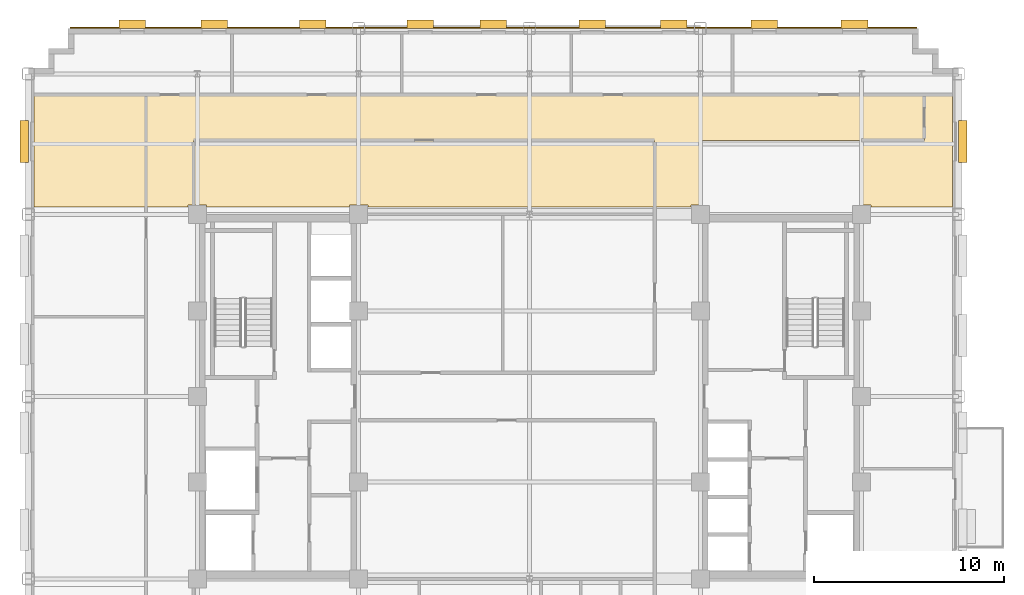
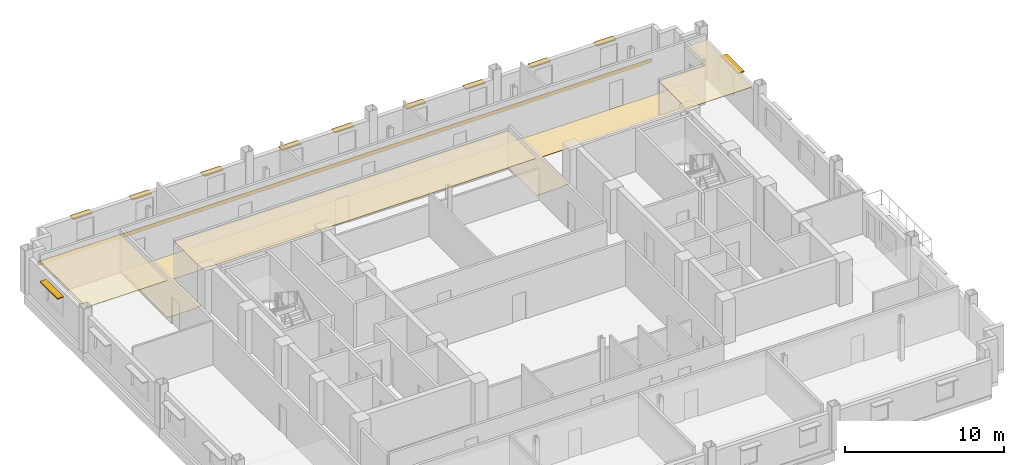
# One storey, part 14 of 14: 11 shading devices, 5 coverings.
"""IFC4 building model written with IfcOpenShell, lengths in metres."""

from ifc_helpers import new_model, si_unit, direction, frame, origin, origin_2d, place, context, subcontext, project, spatial, polyline, rectangle, outline, extrude, source, transform, mapped, material, layer, layer_set, type_object, type_shapes, element, save


model = new_model("IFC4")

# Units and contexts
model_context = context("Model", 3, precision=1e-05, world=origin(), true_north=direction((0.0, 1.0)))
body_context = subcontext(model_context, "Body", "Model", "MODEL_VIEW")
ifc_project = project(units=[si_unit("LENGTHUNIT", "METRE"), si_unit("AREAUNIT", "SQUARE_METRE"), si_unit("VOLUMEUNIT", "CUBIC_METRE"), si_unit("PLANEANGLEUNIT", "RADIAN"), si_unit("MASSUNIT", "GRAM", prefix="KILO")], contexts=[model_context])

# Site, building, storey
site_placement = place(None, origin())
site = spatial("IfcSite", under=ifc_project, at=site_placement, CompositionType="ELEMENT")
building_placement = place(site_placement, origin())
building = spatial("IfcBuilding", under=site, at=building_placement, Name="Nuvemarco Arch Tower", CompositionType="ELEMENT")
storey_placement = place(building_placement, frame((0.0, 0.0, 178.60009765625)))
storey = spatial("IfcBuildingStorey", under=building, at=storey_placement, Name="L47", CompositionType="ELEMENT", Elevation=178.60009765625)

# Coverings
ifc_material_1 = material(Name="Mineral acoustic ceiling tile")
ifc_layer_1 = layer(ifc_material_1, 0.0400390625, Name="COV-ACOUSTIC-CLG")
ifc_layer_set_1 = layer_set([ifc_layer_1], Name="Mineral acoustic ceiling tile")
covering_type_1 = type_object("IfcCoveringType", Name="COV-ACOUSTIC-CLG", PredefinedType="CEILING", material=ifc_layer_set_1)
covering_1_placement = place(storey_placement, frame((0.0, 0.0, 2.849853515625)))
element("IfcCovering", 1, at=covering_1_placement, inside=storey, type_object=covering_type_1, Name="L47 suspended acoustic ceiling 2", PredefinedType="CEILING", context=body_context, shape_type="SweptSolid", body=[
    extrude(outline(polyline([(6.60009765625, 13.5), (6.60009765625, 10.0), (-8.510009765625, 10.0), (-8.510009765625, 10.090087890625), (-9.489990234375, 10.090087890625), (-9.489990234375, 10.0), (-17.010009765625, 10.0), (-17.010009765625, 10.090087890625), (-17.699951171875, 10.090087890625), (-17.699951171875, 13.5), (6.60009765625, 13.5)])), origin(), (0.0, 0.0, 1.0), 0.0400390625),
])
covering_2_placement = place(storey_placement, frame((0.0, 0.0, 2.849853515625)))
element("IfcCovering", 2, at=covering_2_placement, inside=storey, type_object=covering_type_1, Name="L47 suspended acoustic ceiling 4", PredefinedType="CEILING", context=body_context, shape_type="SweptSolid", body=[
    extrude(outline(polyline([(17.989990234375, 10.090087890625), (17.5, 10.090087890625), (17.5, 13.5), (20.800048828125, 13.5), (20.800048828125, 15.89990234375), (22.2900390625, 15.89990234375), (22.2900390625, 10.0), (17.989990234375, 10.0), (17.989990234375, 10.090087890625)])), origin(), (0.0, 0.0, 1.0), 0.0400390625),
])
covering_3_placement = place(storey_placement, frame((0.0, 0.0, 2.849853515625)))
element("IfcCovering", 3, at=covering_3_placement, inside=storey, type_object=covering_type_1, Name="L47 suspended acoustic ceiling 5", PredefinedType="CEILING", context=body_context, shape_type="SweptSolid", body=[
    extrude(outline(polyline([(-20.199951171875, 15.89990234375), (-20.199951171875, 13.5), (-20.199951171875, 10.0), (-26.090087890625, 10.0), (-26.090087890625, 15.89990234375), (-20.199951171875, 15.89990234375)])), origin(), (0.0, 0.0, 1.0), 0.0400390625),
])
ifc_material_2 = material(Name="Polished granite terrazzostone flooring", Category="masonry")
ifc_layer_2 = layer(ifc_material_2, 0.02001953125, Name="COV-LOBBY-FLR")
ifc_layer_set_2 = layer_set([ifc_layer_2], Name="Polished granite terrazzostone flooring")
covering_type_2 = type_object("IfcCoveringType", Name="COV-LOBBY-FLR", PredefinedType="FLOORING", material=ifc_layer_set_2)
covering_4_placement = place(storey_placement, origin())
element("IfcCovering", 4, at=covering_4_placement, inside=storey, type_object=covering_type_2, Name="L47 polished terrazzo lobby flooring", PredefinedType="FLOORING", context=body_context, shape_type="SweptSolid", body=[
    extrude(outline(polyline([(-20.199951171875, 13.5), (-20.199951171875, 15.89990234375), (-17.699951171875, 15.89990234375), (6.60009765625, 15.89990234375), (9.0, 15.89990234375), (20.800048828125, 15.89990234375), (20.800048828125, 13.5), (9.0, 13.5), (9.0, 10.090087890625), (8.510009765625, 10.090087890625), (8.510009765625, 10.0), (6.60009765625, 10.0), (6.60009765625, 13.5), (-17.699951171875, 13.5), (-17.699951171875, 10.090087890625), (-17.989990234375, 10.090087890625), (-17.989990234375, 10.0), (-20.199951171875, 10.0), (-20.199951171875, 13.5)])), origin(), (0.0, 0.0, 1.0), 0.02001953125),
])

# Shading devices
ifc_material_3 = material(Name="Anodised aluminium 6063-T6", Category="aluminium")
shading_device_type_1 = type_object("IfcShadingDeviceType", Name="SHD-BRISE-SOLEIL", PredefinedType="USERDEFINED", material=ifc_material_3)
shared_shape_1 = source(origin(), body_context, "Body", "SweptSolid", [
    extrude(rectangle(XDim=2.199951171875, YDim=0.449951171875, at=origin_2d()), origin(), (0.0, 0.0, 1.0), 0.080078125),
])
type_shapes(shading_device_type_1, [shared_shape_1])
for number, where, z_axis, x_axis, name in (
    (5, (22.81494140625, 13.437744140625, 2.324951171875), (0.0, 0.0, 1.0), (0.0, 1.0, 0.0), "L47 horizontal brise-soleil sunshade"),
    (6, (-26.614990234375, 13.437744140625, 2.324951171875), (0.0, 0.0, 1.0), (0.0, 1.0, 0.0), "L47 horizontal brise-soleil sunshade"),
):
    element("IfcShadingDevice", number, at=place(storey_placement, frame(where, z_axis=z_axis, x_axis=x_axis)), inside=storey, type_object=shading_device_type_1, Name=name, ObjectType="SUNSHADE", PredefinedType="USERDEFINED", context=body_context, shape_type="MappedRepresentation", body=[
        mapped(shared_shape_1, transform((0.0, 0.0, 0.0), scale=1.0)),
    ])
shading_device_type_2 = type_object("IfcShadingDeviceType", Name="SHD-BRISE-NARROW", PredefinedType="USERDEFINED", material=ifc_material_3)
shared_shape_2 = source(origin(), body_context, "Body", "SweptSolid", [
    extrude(rectangle(XDim=1.39990234375, YDim=0.449951171875, at=origin_2d()), origin(), (0.0, 0.0, 1.0), 0.080078125),
])
type_shapes(shading_device_type_2, [shared_shape_2])
for number, where, z_axis, x_axis, name in (
    (7, (-20.922119140625, 19.614990234375, 2.324951171875), (0.0, 0.0, 1.0), (1.0, 0.0, 0.0), "L47 horizontal brise-soleil sunshade"),
    (8, (-16.61669921875, 19.614990234375, 2.324951171875), (0.0, 0.0, 1.0), (1.0, 0.0, 0.0), "L47 horizontal brise-soleil sunshade"),
    (9, (-11.4111328125, 19.614990234375, 2.324951171875), (0.0, 0.0, 1.0), (1.0, 0.0, 0.0), "L47 horizontal brise-soleil sunshade"),
    (10, (-5.755615234375, 19.614990234375, 2.324951171875), (0.0, 0.0, 1.0), (1.0, 0.0, 0.0), "L47 horizontal brise-soleil sunshade"),
    (11, (-1.89990234375, 19.614990234375, 2.324951171875), (0.0, 0.0, 1.0), (1.0, 0.0, 0.0), "L47 horizontal brise-soleil sunshade"),
    (12, (3.3056640625, 19.614990234375, 2.324951171875), (0.0, 0.0, 1.0), (1.0, 0.0, 0.0), "L47 horizontal brise-soleil sunshade"),
    (13, (7.611083984375, 19.614990234375, 2.324951171875), (0.0, 0.0, 1.0), (1.0, 0.0, 0.0), "L47 horizontal brise-soleil sunshade"),
    (14, (12.36669921875, 19.614990234375, 2.324951171875), (0.0, 0.0, 1.0), (1.0, 0.0, 0.0), "L47 horizontal brise-soleil sunshade"),
    (15, (17.122314453125, 19.614990234375, 2.324951171875), (0.0, 0.0, 1.0), (1.0, 0.0, 0.0), "L47 horizontal brise-soleil sunshade"),
):
    element("IfcShadingDevice", number, at=place(storey_placement, frame(where, z_axis=z_axis, x_axis=x_axis)), inside=storey, type_object=shading_device_type_2, Name=name, ObjectType="SUNSHADE", PredefinedType="USERDEFINED", context=body_context, shape_type="MappedRepresentation", body=[
        mapped(shared_shape_2, transform((0.0, 0.0, 0.0), scale=1.0)),
    ])

# Covering
ifc_material_4 = material(Name="Precast concrete C45/55", Category="concrete")
ifc_layer_3 = layer(ifc_material_4, 0.06005859375, Name="COV-SPANDREL-CLAD")
ifc_layer_set_3 = layer_set([ifc_layer_3], Name="Precast concrete C45/55")
covering_type_3 = type_object("IfcCoveringType", Name="COV-SPANDREL-CLAD", PredefinedType="CLADDING", material=ifc_layer_set_3)
shared_shape_3 = source(origin(), body_context, "Body", "SweptSolid", [
    extrude(rectangle(XDim=44.60009765625, YDim=0.06005859375, at=origin_2d()), origin(), (0.0, 0.0, 1.0), 0.280029296875),
])
type_shapes(covering_type_3, [shared_shape_3])
covering_5_placement = place(storey_placement, frame((-1.89990234375, 19.428955078125, -0.2802734375), z_axis=(0.0, 0.0, 1.0), x_axis=(1.0, 0.0, 0.0)))
element("IfcCovering", 16, at=covering_5_placement, inside=storey, type_object=covering_type_3, Name="L47 precast spandrel edge cladding north", PredefinedType="CLADDING", context=body_context, shape_type="MappedRepresentation", body=[
    mapped(shared_shape_3, transform((0.0, 0.0, 0.0), scale=1.0)),
])

save(model, "model.ifc")
